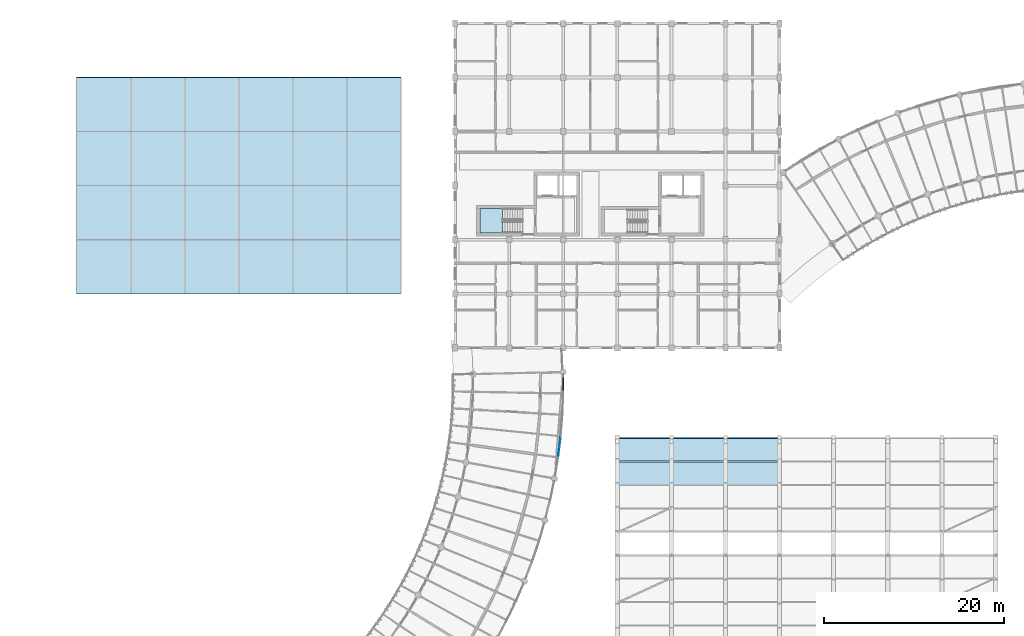
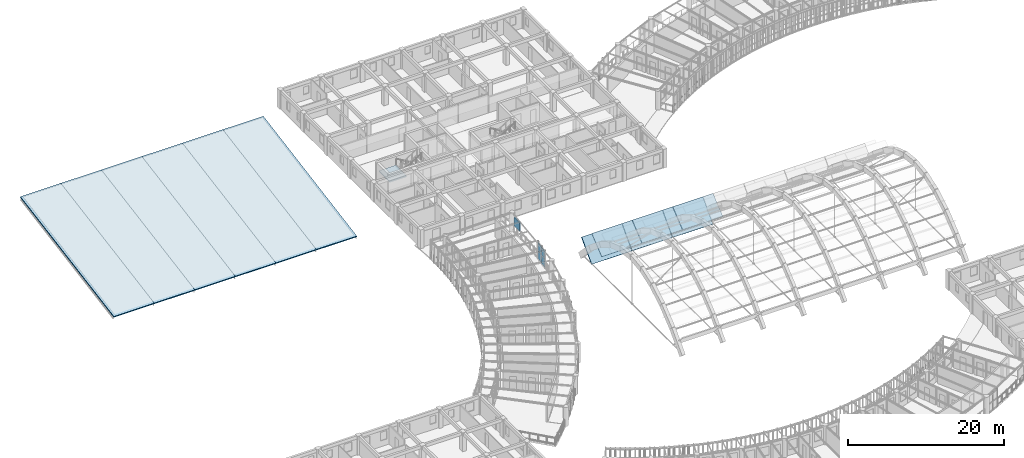
# One storey, part 64 of 123: 11 plates, 7 slabs, 2 elements without a shape of their own.
"""IFC4 building model written with IfcOpenShell, lengths in metres."""

from ifc_helpers import new_model, si_unit, direction, frame, origin, origin_2d, place, context, subcontext, project, spatial, polyline, rectangle, outline, extrude, material, layer, layer_set, type_object, element, aggregate, save


model = new_model("IFC4")

# Units and contexts
model_context = context("Model", 3, precision=1e-05, world=origin(), true_north=direction((0.0, 1.0)))
body_context = subcontext(model_context, "Body", "Model", "MODEL_VIEW")
ifc_project = project(units=[si_unit("LENGTHUNIT", "METRE"), si_unit("AREAUNIT", "SQUARE_METRE"), si_unit("VOLUMEUNIT", "CUBIC_METRE"), si_unit("PLANEANGLEUNIT", "RADIAN"), si_unit("MASSUNIT", "GRAM", prefix="KILO"), si_unit("POWERUNIT", "WATT"), si_unit("THERMODYNAMICTEMPERATUREUNIT", "KELVIN")], contexts=[model_context])

# Site, building, storey
site_placement = place(None, origin())
site = spatial("IfcSite", under=ifc_project, at=site_placement, CompositionType="ELEMENT")
building_placement = place(site_placement, origin())
building = spatial("IfcBuilding", under=site, at=building_placement, Name="Ruvembo Vaulted Housing Court", CompositionType="ELEMENT")
storey_placement = place(building_placement, frame((0.0, 0.0, 7.699951171875)))
storey = spatial("IfcBuildingStorey", under=building, at=storey_placement, Name="L02", CompositionType="ELEMENT", Elevation=7.699951171875)

# Curtain wall, plates
ifc_material_1 = material(Name="Anodised Aluminium and Solar-Control Glass", Category="aluminium")
ifc_layer_1 = layer(ifc_material_1, 0.1201171875, Name="Anodised Aluminium and Solar-Control Glass")
ifc_layer_set_1 = layer_set([ifc_layer_1], Name="Anodised Aluminium and Solar-Control Glass")
curtain_wall_type = type_object("IfcCurtainWallType", Name="CW-SCOOP-GAL", PredefinedType="NOTDEFINED", material=ifc_layer_set_1)
curtain_wall_placement = place(storey_placement, origin())
curtain_wall = element("IfcCurtainWall", 1, at=curtain_wall_placement, inside=storey, type_object=curtain_wall_type, Name="L02 Curtain Wall CW-L02-0016", PredefinedType="NOTDEFINED")
ifc_material_2 = material(Name="Solar-Control Laminated Insulating Glass", Category="glass")
ifc_layer_2 = layer(ifc_material_2, 0.031982421875, Name="Solar-Control Laminated Insulating Glass")
ifc_layer_set_2 = layer_set([ifc_layer_2], Name="Solar-Control Laminated Insulating Glass")
plate_type_1 = type_object("IfcPlateType", Name="CW-PANEL-SOLAR", PredefinedType="CURTAIN_PANEL", material=ifc_layer_set_2)
plate_1_placement = place(storey_placement, frame((59.49951171875, 66.47021484375, 0.065185546875), z_axis=(0.0, 0.0, 1.0), x_axis=(0.12040089337, 0.992725352187, 0.0)))
plate_1 = element("IfcPlate", 2, at=plate_1_placement, type_object=plate_type_1, Name="CW6 panel 1.1", PredefinedType="CURTAIN_PANEL", context=body_context, shape_type="SweptSolid", body=[
    extrude(rectangle(XDim=1.04833984375, YDim=0.031982421875, at=origin_2d()), origin(), (0.0, 0.0, 1.0), 1.25146484375),
])
plate_2_placement = place(storey_placement, frame((59.49951171875, 66.47021484375, 1.381591796875), z_axis=(0.0, 0.0, 1.0), x_axis=(0.12040089337, 0.992725352187, 0.0)))
plate_2 = element("IfcPlate", 3, at=plate_2_placement, type_object=plate_type_1, Name="CW6 panel 1.2", PredefinedType="CURTAIN_PANEL", context=body_context, shape_type="SweptSolid", body=[
    extrude(rectangle(XDim=1.04833984375, YDim=0.031982421875, at=origin_2d()), origin(), (0.0, 0.0, 1.0), 1.25146484375),
])
plate_3_placement = place(storey_placement, frame((59.633056640625, 67.570556640625, 0.065185546875), z_axis=(0.0, 0.0, 1.0), x_axis=(0.12040089337, 0.992725352187, 0.0)))
plate_3 = element("IfcPlate", 4, at=plate_3_placement, type_object=plate_type_1, Name="CW6 panel 2.1", PredefinedType="CURTAIN_PANEL", context=body_context, shape_type="SweptSolid", body=[
    extrude(rectangle(XDim=1.04833984375, YDim=0.031982421875, at=origin_2d()), origin(), (0.0, 0.0, 1.0), 1.25146484375),
])
plate_4_placement = place(storey_placement, frame((59.633056640625, 67.570556640625, 1.381591796875), z_axis=(0.0, 0.0, 1.0), x_axis=(0.12040089337, 0.992725352187, 0.0)))
plate_4 = element("IfcPlate", 5, at=plate_4_placement, type_object=plate_type_1, Name="CW6 panel 2.2", PredefinedType="CURTAIN_PANEL", context=body_context, shape_type="SweptSolid", body=[
    extrude(rectangle(XDim=1.04833984375, YDim=0.031982421875, at=origin_2d()), origin(), (0.0, 0.0, 1.0), 1.25146484375),
])
aggregate(curtain_wall, [plate_1, plate_2, plate_3, plate_4])

# Plates
ifc_material_3 = material(Name="Perforated Glazed Ceramic Cobogo Block", Category="ceramic")
ifc_layer_3 = layer(ifc_material_3, 0.1201171875, Name="Perforated Glazed Ceramic Cobogo Block")
ifc_layer_set_3 = layer_set([ifc_layer_3], Name="Perforated Glazed Ceramic Cobogo Block")
plate_type_2 = type_object("IfcPlateType", Name="PL-COBOGO-120", PredefinedType="USERDEFINED", material=ifc_layer_set_3)
plate_5_placement = place(storey_placement, frame((59.988037109375, 73.98193359375, 1.1201171875), z_axis=(0.0, 0.0, 1.0), x_axis=(-0.002268926081, 0.999997425984, 0.0)))
element("IfcPlate", 6, at=plate_5_placement, inside=storey, type_object=plate_type_2, Name="Scoop SC1 L02 Ceramic Cobogo Screen #12", ObjectType="COBOGO_PANEL", PredefinedType="USERDEFINED", context=body_context, shape_type="SweptSolid", body=[
    extrude(rectangle(XDim=1.39990234375, YDim=0.1201171875, at=origin_2d()), origin(), (0.0, 0.0, 1.0), 1.360107421875),
])
ifc_material_4 = material(Name="Precast concrete C35/45", Category="concrete")
ifc_layer_4 = layer(ifc_material_4, 0.14794921875, Name="Precast concrete C35/45")
ifc_layer_set_4 = layer_set([ifc_layer_4], Name="Precast concrete C35/45")
plate_type_3 = type_object("IfcPlateType", Name="PL-VAULT-148", PredefinedType="USERDEFINED", material=ifc_layer_set_4)
for number, where, z_axis, x_axis, name in (
    (7, (69.0, 64.14697265625, 2.31787109375), (0.0, -0.633367366472, 0.77385126419), (1.0, 0.0, 0.0), "Precast Vault Haunch Shell Panel Bay 1.8"),
    (8, (75.0, 64.14697265625, 2.31787109375), (0.0, -0.633367366472, 0.77385126419), (1.0, 0.0, 0.0), "Precast Vault Haunch Shell Panel Bay 2.8"),
    (9, (81.0, 64.14697265625, 2.31787109375), (0.0, -0.633367366472, 0.77385126419), (1.0, 0.0, 0.0), "Precast Vault Haunch Shell Panel Bay 3.8"),
):
    element("IfcPlate", number, at=place(storey_placement, frame(where, z_axis=z_axis, x_axis=x_axis)), inside=storey, type_object=plate_type_3, Name=name, ObjectType="VAULT_SHELL_PANEL", PredefinedType="USERDEFINED", context=body_context, shape_type="SweptSolid", body=[
        extrude(rectangle(XDim=5.9599609375, YDim=3.329833984375, at=origin_2d()), origin(), (0.0, 0.0, 1.0), 0.14794921875),
    ])
ifc_layer_5 = layer(ifc_material_4, 0.155029296875, Name="Precast concrete C35/45")
ifc_layer_set_5 = layer_set([ifc_layer_5], Name="Precast concrete C35/45")
plate_type_4 = type_object("IfcPlateType", Name="PL-VAULT-155", PredefinedType="USERDEFINED", material=ifc_layer_set_5)
for number, where, z_axis, x_axis, name in (
    (10, (69.0, 66.756103515625, -0.1103515625), (0.0, -0.724893632131, 0.688860814748), (1.0, 0.0, 0.0), "Precast Vault Haunch Shell Panel Bay 1.9"),
    (11, (75.0, 66.756103515625, -0.1103515625), (0.0, -0.724893632131, 0.688860814748), (1.0, 0.0, 0.0), "Precast Vault Haunch Shell Panel Bay 2.9"),
    (12, (81.0, 66.756103515625, -0.1103515625), (0.0, -0.724893632131, 0.688860814748), (1.0, 0.0, 0.0), "Precast Vault Haunch Shell Panel Bay 3.9"),
):
    element("IfcPlate", number, at=place(storey_placement, frame(where, z_axis=z_axis, x_axis=x_axis)), inside=storey, type_object=plate_type_4, Name=name, ObjectType="VAULT_SHELL_PANEL", PredefinedType="USERDEFINED", context=body_context, shape_type="SweptSolid", body=[
        extrude(rectangle(XDim=5.9599609375, YDim=3.744384765625, at=origin_2d()), origin(), (0.0, 0.0, 1.0), 0.155029296875),
    ])

# Stair, slab
ifc_material_5 = material(Name="Concrete C35/45", Category="concrete")
stair_type = type_object("IfcStairType", Name="STR-CORE-1250", PredefinedType="HALF_TURN_STAIR", material=ifc_material_5)
stair_placement = place(storey_placement, origin())
stair = element("IfcStair", 13, at=stair_placement, inside=storey, type_object=stair_type, Name="L02 Protected Exit Stair ST-B1", PredefinedType="HALF_TURN_STAIR")
ifc_material_6 = material(Name="Concrete C30/37", Category="concrete")
ifc_layer_6 = layer(ifc_material_6, 0.201904296875, Name="Concrete C30/37")
ifc_layer_set_6 = layer_set([ifc_layer_6], Name="Concrete C30/37")
slab_type_1 = type_object("IfcSlabType", Name="SL-LAND-202", PredefinedType="LANDING", material=ifc_layer_set_6)
slab_placement = place(storey_placement, frame((0.0, 0.0, 1.400146484375)))
slab = element("IfcSlab", 14, at=slab_placement, type_object=slab_type_1, Name="ST-B1 landing 1", PredefinedType="LANDING", context=body_context, shape_type="SweptSolid", body=[
    extrude(outline(polyline([(53.260009765625, 93.449951171875), (50.75, 93.449951171875), (50.75, 90.75), (53.260009765625, 90.75), (53.260009765625, 93.449951171875)])), origin(), (0.0, 0.0, 1.0), 0.199951171875),
])
aggregate(stair, [slab])

# Slabs
ifc_layer_7 = layer(ifc_material_6, 0.159912109375, Name="Concrete C30/37")
ifc_layer_set_7 = layer_set([ifc_layer_7], Name="Concrete C30/37")
slab_type_2 = type_object("IfcSlabType", Name="SL-ROOF-160", PredefinedType="ROOF", material=ifc_layer_set_7)
for number, where, z_axis, x_axis, name in (
    (15, (6.0, 84.0, 0.16015625), (0.0, -0.173641886496, 0.984808862295), (1.0, 0.0, 0.0), "Nursery Sloped Roof Slab Bay 1"),
    (16, (12.0, 84.0, 0.16015625), (0.0, -0.173641886496, 0.984808862295), (1.0, 0.0, 0.0), "Nursery Sloped Roof Slab Bay 2"),
    (17, (18.0, 84.0, 0.16015625), (0.0, -0.173641886496, 0.984808862295), (1.0, 0.0, 0.0), "Nursery Sloped Roof Slab Bay 3"),
    (18, (24.0, 84.0, 0.16015625), (0.0, -0.173641886496, 0.984808862295), (1.0, 0.0, 0.0), "Nursery Sloped Roof Slab Bay 4"),
    (19, (30.0, 84.0, 0.16015625), (0.0, -0.173641886496, 0.984808862295), (1.0, 0.0, 0.0), "Nursery Sloped Roof Slab Bay 5"),
    (20, (36.0, 84.0, 0.16015625), (0.0, -0.173641886496, 0.984808862295), (1.0, 0.0, 0.0), "Nursery Sloped Roof Slab Bay 6"),
):
    element("IfcSlab", number, at=place(storey_placement, frame(where, z_axis=z_axis, x_axis=x_axis)), inside=storey, type_object=slab_type_2, Name=name, PredefinedType="ROOF", context=body_context, shape_type="SweptSolid", body=[
        extrude(outline(polyline([(0.0, 0.0), (6.0, 0.0), (6.0, 24.370211234777788), (0.0, 24.370211234777788), (0.0, 0.0)])), origin(), (0.0, 0.0, -1.0), 0.159912109375),
    ])

save(model, "model.ifc")
